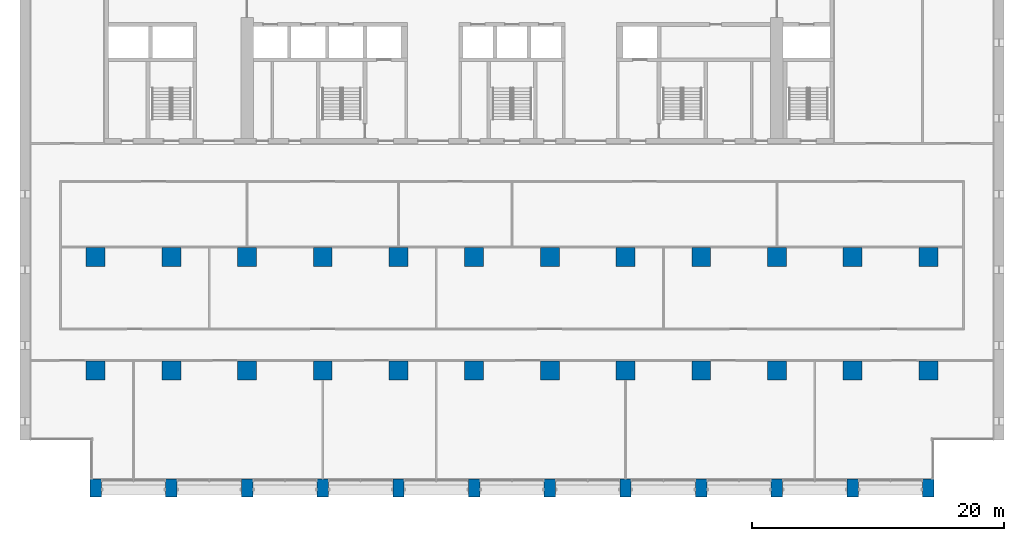
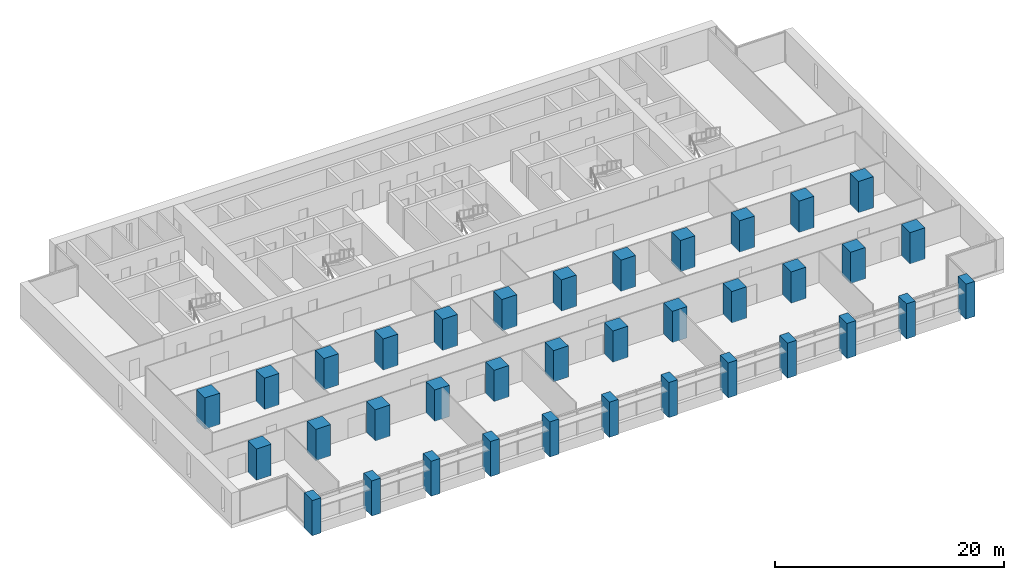
# One storey, part 1 of 18: 36 columns.
"""IFC4 building model written with IfcOpenShell, lengths in metres."""

from ifc_helpers import new_model, si_unit, direction, frame, origin, origin_2d, place, context, subcontext, project, spatial, rectangle, extrude, material, material_profile, profile_set, type_object, element, save


model = new_model("IFC4")

# Units and contexts
model_context = context("Model", 3, precision=1e-05, world=origin(), true_north=direction((0.0, 1.0)))
body_context = subcontext(model_context, "Body", "Model", "MODEL_VIEW")
ifc_project = project(units=[si_unit("LENGTHUNIT", "METRE"), si_unit("AREAUNIT", "SQUARE_METRE"), si_unit("VOLUMEUNIT", "CUBIC_METRE"), si_unit("PLANEANGLEUNIT", "RADIAN"), si_unit("MASSUNIT", "GRAM", prefix="KILO")], contexts=[model_context])

# Site, building, storey
site_placement = place(None, origin())
site = spatial("IfcSite", under=ifc_project, at=site_placement, CompositionType="ELEMENT")
building_placement = place(site_placement, origin())
building = spatial("IfcBuilding", under=site, at=building_placement, Name="Calvaro Tower", CompositionType="ELEMENT")
storey_placement = place(building_placement, frame((0.0, 0.0, 78.75)))
storey = spatial("IfcBuildingStorey", under=building, at=storey_placement, Name="L19", CompositionType="ELEMENT", Elevation=78.75)

# Columns
ifc_material_1 = material(Name="Concrete C80/95", Category="concrete")
ifc_material_profile_1 = material_profile(ifc_material_1, rectangle(XDim=1.5, YDim=1.5, at=origin_2d()), Name="RC 1500x1500")
ifc_profile_set_1 = profile_set([ifc_material_profile_1], Name="Concrete C80/95")
column_type_1 = type_object("IfcColumnType", Name="Column 1500x1500 C80/95", PredefinedType="COLUMN", material=ifc_profile_set_1)
for number, where, z_axis, x_axis, name in (
    (1, (6.0, 10.0, 0.0), (0.0, 0.0, 1.0), (1.0, 0.0, 0.0), "Column 2B"),
    (2, (6.0, 19.0, 0.0), (0.0, 0.0, 1.0), (1.0, 0.0, 0.0), "Column 2C"),
    (3, (12.0, 10.0, 0.0), (0.0, 0.0, 1.0), (1.0, 0.0, 0.0), "Column 3B"),
    (4, (12.0, 19.0, 0.0), (0.0, 0.0, 1.0), (1.0, 0.0, 0.0), "Column 3C"),
    (5, (18.0, 10.0, 0.0), (0.0, 0.0, 1.0), (1.0, 0.0, 0.0), "Column 4B"),
    (6, (18.0, 19.0, 0.0), (0.0, 0.0, 1.0), (1.0, 0.0, 0.0), "Column 4C"),
    (7, (24.0, 10.0, 0.0), (0.0, 0.0, 1.0), (1.0, 0.0, 0.0), "Column 5B"),
    (8, (24.0, 19.0, 0.0), (0.0, 0.0, 1.0), (1.0, 0.0, 0.0), "Column 5C"),
    (9, (30.0, 10.0, 0.0), (0.0, 0.0, 1.0), (1.0, 0.0, 0.0), "Column 6B"),
    (10, (30.0, 19.0, 0.0), (0.0, 0.0, 1.0), (1.0, 0.0, 0.0), "Column 6C"),
    (11, (36.0, 10.0, 0.0), (0.0, 0.0, 1.0), (1.0, 0.0, 0.0), "Column 7B"),
    (12, (36.0, 19.0, 0.0), (0.0, 0.0, 1.0), (1.0, 0.0, 0.0), "Column 7C"),
    (13, (42.0, 10.0, 0.0), (0.0, 0.0, 1.0), (1.0, 0.0, 0.0), "Column 8B"),
    (14, (42.0, 19.0, 0.0), (0.0, 0.0, 1.0), (1.0, 0.0, 0.0), "Column 8C"),
    (15, (48.0, 10.0, 0.0), (0.0, 0.0, 1.0), (1.0, 0.0, 0.0), "Column 9B"),
    (16, (48.0, 19.0, 0.0), (0.0, 0.0, 1.0), (1.0, 0.0, 0.0), "Column 9C"),
    (17, (54.0, 10.0, 0.0), (0.0, 0.0, 1.0), (1.0, 0.0, 0.0), "Column 10B"),
    (18, (54.0, 19.0, 0.0), (0.0, 0.0, 1.0), (1.0, 0.0, 0.0), "Column 10C"),
    (19, (60.0, 10.0, 0.0), (0.0, 0.0, 1.0), (1.0, 0.0, 0.0), "Column 11B"),
    (20, (60.0, 19.0, 0.0), (0.0, 0.0, 1.0), (1.0, 0.0, 0.0), "Column 11C"),
    (21, (66.0, 10.0, 0.0), (0.0, 0.0, 1.0), (1.0, 0.0, 0.0), "Column 12B"),
    (22, (66.0, 19.0, 0.0), (0.0, 0.0, 1.0), (1.0, 0.0, 0.0), "Column 12C"),
    (23, (72.0, 10.0, 0.0), (0.0, 0.0, 1.0), (1.0, 0.0, 0.0), "Column 13B"),
    (24, (72.0, 19.0, 0.0), (0.0, 0.0, 1.0), (1.0, 0.0, 0.0), "Column 13C"),
):
    element("IfcColumn", number, at=place(storey_placement, frame(where, z_axis=z_axis, x_axis=x_axis)), inside=storey, type_object=column_type_1, Name=name, PredefinedType="COLUMN", context=body_context, shape_type="SweptSolid", body=[
        extrude(rectangle(XDim=1.5, YDim=1.5, at=origin_2d()), origin(), (0.0, 0.0, 1.0), 3.35009765625),
    ])
ifc_material_2 = material(Name="Concrete C80/95", Category="concrete")
ifc_material_profile_2 = material_profile(ifc_material_2, rectangle(XDim=0.89990234375, YDim=1.39990234375, at=origin_2d()), Name="RC 900x1400")
ifc_profile_set_2 = profile_set([ifc_material_profile_2], Name="Concrete C80/95")
column_type_2 = type_object("IfcColumnType", Name="Pier 900x1400 C80/95", PredefinedType="COLUMN", material=ifc_profile_set_2)
for number, where, z_axis, x_axis, name in (
    (25, (6.0, 0.699951171875, -0.39990234375), (0.0, 0.0, 1.0), (1.0, 0.0, 0.0), "South pier 2"),
    (26, (12.0, 0.699951171875, -0.39990234375), (0.0, 0.0, 1.0), (1.0, 0.0, 0.0), "South pier 3"),
    (27, (18.0, 0.699951171875, -0.39990234375), (0.0, 0.0, 1.0), (1.0, 0.0, 0.0), "South pier 4"),
    (28, (24.0, 0.699951171875, -0.39990234375), (0.0, 0.0, 1.0), (1.0, 0.0, 0.0), "South pier 5"),
    (29, (30.0, 0.699951171875, -0.39990234375), (0.0, 0.0, 1.0), (1.0, 0.0, 0.0), "South pier 6"),
    (30, (36.0, 0.699951171875, -0.39990234375), (0.0, 0.0, 1.0), (1.0, 0.0, 0.0), "South pier 7"),
    (31, (42.0, 0.699951171875, -0.39990234375), (0.0, 0.0, 1.0), (1.0, 0.0, 0.0), "South pier 8"),
    (32, (48.0, 0.699951171875, -0.39990234375), (0.0, 0.0, 1.0), (1.0, 0.0, 0.0), "South pier 9"),
    (33, (54.0, 0.699951171875, -0.39990234375), (0.0, 0.0, 1.0), (1.0, 0.0, 0.0), "South pier 10"),
    (34, (60.0, 0.699951171875, -0.39990234375), (0.0, 0.0, 1.0), (1.0, 0.0, 0.0), "South pier 11"),
    (35, (66.0, 0.699951171875, -0.39990234375), (0.0, 0.0, 1.0), (1.0, 0.0, 0.0), "South pier 12"),
    (36, (72.0, 0.699951171875, -0.39990234375), (0.0, 0.0, 1.0), (1.0, 0.0, 0.0), "South pier 13"),
):
    element("IfcColumn", number, at=place(storey_placement, frame(where, z_axis=z_axis, x_axis=x_axis)), inside=storey, type_object=column_type_2, Name=name, PredefinedType="COLUMN", context=body_context, shape_type="SweptSolid", body=[
        extrude(rectangle(XDim=0.89990234375, YDim=1.39990234375, at=origin_2d()), origin(), (0.0, 0.0, 1.0), 3.75),
    ])

save(model, "model.ifc")
